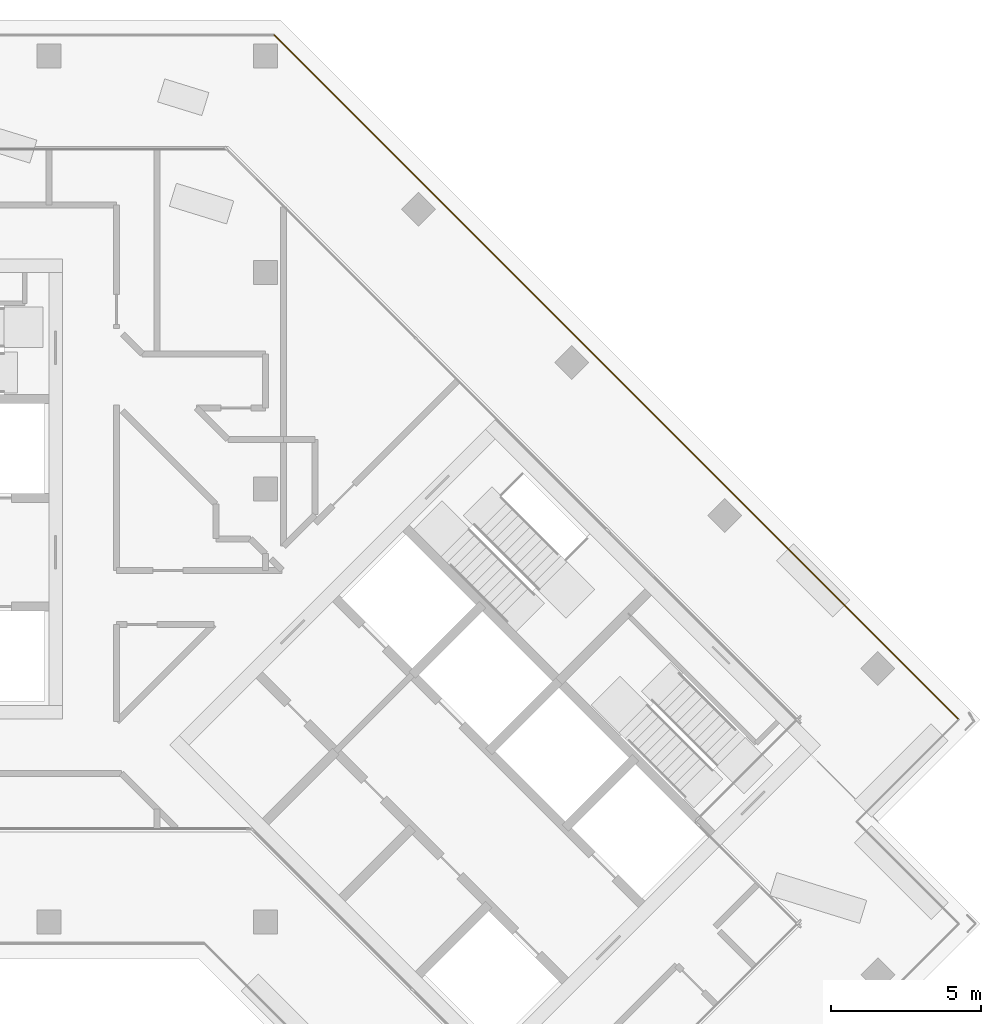
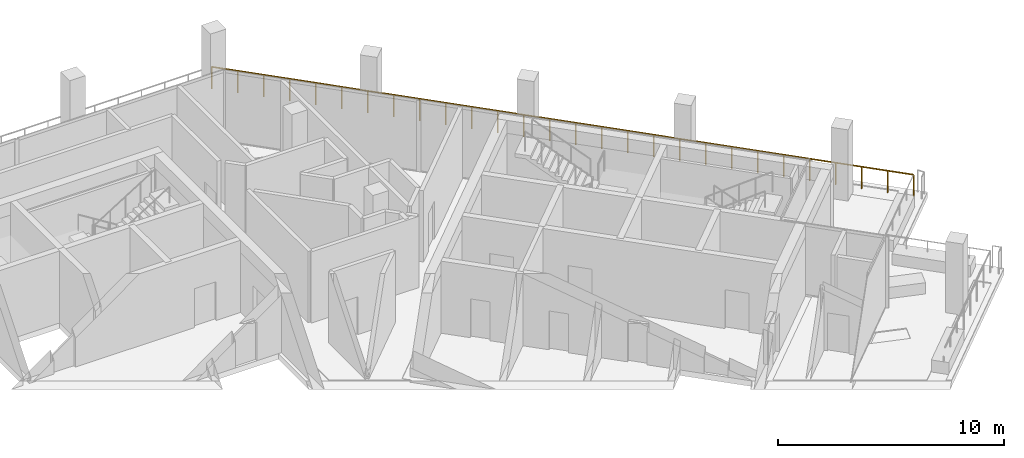
# One storey, part 16 of 20: 1 railing.
"""IFC4 building model written with IfcOpenShell, lengths in metres."""

from ifc_helpers import new_model, si_unit, direction, frame, origin, origin_2d, place, context, subcontext, project, spatial, circle, extrude, material, type_object, element, save


model = new_model("IFC4")

# Units and contexts
model_context = context("Model", 3, precision=1e-05, world=origin(), true_north=direction((0.0, 1.0)))
body_context = subcontext(model_context, "Body", "Model", "MODEL_VIEW")
ifc_project = project(units=[si_unit("LENGTHUNIT", "METRE"), si_unit("AREAUNIT", "SQUARE_METRE"), si_unit("VOLUMEUNIT", "CUBIC_METRE"), si_unit("PLANEANGLEUNIT", "RADIAN"), si_unit("MASSUNIT", "GRAM", prefix="KILO")], contexts=[model_context])

# Site, building, storey
site_placement = place(None, origin())
site = spatial("IfcSite", under=ifc_project, at=site_placement, CompositionType="ELEMENT")
building_placement = place(site_placement, origin())
building = spatial("IfcBuilding", under=site, at=building_placement, Name="Windrow Commons", CompositionType="ELEMENT")
storey_placement = place(building_placement, frame((0.0, 0.0, 239.6)))
storey = spatial("IfcBuildingStorey", under=building, at=storey_placement, Name="L65", CompositionType="ELEMENT", Elevation=239.6)

# Railing
ifc_material = material(Name="Stainless steel S316 balustrade with toughened glass infill", Category="steel")
railing_type = type_object("IfcRailingType", Name="Terrace guard 1200 podium", PredefinedType="BALUSTRADE", material=ifc_material)
railing_placement = place(storey_placement, frame((79.49, 72.7, 0.05)))
element("IfcRailing", 1, at=railing_placement, inside=storey, type_object=railing_type, Name="Guard TR-L65-1.E10", PredefinedType="BALUSTRADE", context=body_context, shape_type="SweptSolid", body=[
    extrude(circle(Radius=0.025, at=origin_2d()), frame((0.0, 0.0, 1.175), z_axis=(0.7071067812, -0.7071067812, 0.0), x_axis=(0.7071067812, 0.7071067812, 0.0)), (0.0, 0.0, 1.0), 32.1899),
    extrude(circle(Radius=0.02, at=origin_2d()), origin(), (0.0, 0.0, 1.0), 1.15),
    extrude(circle(Radius=0.02, at=origin_2d()), frame((0.843, -0.843, 0.0)), (0.0, 0.0, 1.0), 1.15),
    extrude(circle(Radius=0.02, at=origin_2d()), frame((1.6861, -1.6861, 0.0)), (0.0, 0.0, 1.0), 1.15),
    extrude(circle(Radius=0.02, at=origin_2d()), frame((2.5291, -2.5291, 0.0)), (0.0, 0.0, 1.0), 1.15),
    extrude(circle(Radius=0.02, at=origin_2d()), frame((3.3721, -3.3721, 0.0)), (0.0, 0.0, 1.0), 1.15),
    extrude(circle(Radius=0.02, at=origin_2d()), frame((4.2151, -4.2151, 0.0)), (0.0, 0.0, 1.0), 1.15),
    extrude(circle(Radius=0.02, at=origin_2d()), frame((5.0582, -5.0582, 0.0)), (0.0, 0.0, 1.0), 1.15),
    extrude(circle(Radius=0.02, at=origin_2d()), frame((5.9012, -5.9012, 0.0)), (0.0, 0.0, 1.0), 1.15),
    extrude(circle(Radius=0.02, at=origin_2d()), frame((6.7442, -6.7442, 0.0)), (0.0, 0.0, 1.0), 1.15),
    extrude(circle(Radius=0.02, at=origin_2d()), frame((7.5872, -7.5872, 0.0)), (0.0, 0.0, 1.0), 1.15),
    extrude(circle(Radius=0.02, at=origin_2d()), frame((8.4303, -8.4303, 0.0)), (0.0, 0.0, 1.0), 1.15),
    extrude(circle(Radius=0.02, at=origin_2d()), frame((9.2733, -9.2733, 0.0)), (0.0, 0.0, 1.0), 1.15),
    extrude(circle(Radius=0.02, at=origin_2d()), frame((10.1163, -10.1163, 0.0)), (0.0, 0.0, 1.0), 1.15),
    extrude(circle(Radius=0.02, at=origin_2d()), frame((10.9593, -10.9593, 0.0)), (0.0, 0.0, 1.0), 1.15),
    extrude(circle(Radius=0.02, at=origin_2d()), frame((11.8024, -11.8024, 0.0)), (0.0, 0.0, 1.0), 1.15),
    extrude(circle(Radius=0.02, at=origin_2d()), frame((12.6454, -12.6454, 0.0)), (0.0, 0.0, 1.0), 1.15),
    extrude(circle(Radius=0.02, at=origin_2d()), frame((13.4884, -13.4884, 0.0)), (0.0, 0.0, 1.0), 1.15),
    extrude(circle(Radius=0.02, at=origin_2d()), frame((14.3314, -14.3314, 0.0)), (0.0, 0.0, 1.0), 1.15),
    extrude(circle(Radius=0.02, at=origin_2d()), frame((15.1745, -15.1745, 0.0)), (0.0, 0.0, 1.0), 1.15),
    extrude(circle(Radius=0.02, at=origin_2d()), frame((16.0175, -16.0175, 0.0)), (0.0, 0.0, 1.0), 1.15),
    extrude(circle(Radius=0.02, at=origin_2d()), frame((16.8605, -16.8605, 0.0)), (0.0, 0.0, 1.0), 1.15),
    extrude(circle(Radius=0.02, at=origin_2d()), frame((17.7035, -17.7035, 0.0)), (0.0, 0.0, 1.0), 1.15),
    extrude(circle(Radius=0.02, at=origin_2d()), frame((18.5466, -18.5466, 0.0)), (0.0, 0.0, 1.0), 1.15),
    extrude(circle(Radius=0.02, at=origin_2d()), frame((19.3896, -19.3896, 0.0)), (0.0, 0.0, 1.0), 1.15),
    extrude(circle(Radius=0.02, at=origin_2d()), frame((20.2326, -20.2326, 0.0)), (0.0, 0.0, 1.0), 1.15),
    extrude(circle(Radius=0.02, at=origin_2d()), frame((21.0756, -21.0756, 0.0)), (0.0, 0.0, 1.0), 1.15),
    extrude(circle(Radius=0.02, at=origin_2d()), frame((21.9187, -21.9187, 0.0)), (0.0, 0.0, 1.0), 1.15),
    extrude(circle(Radius=0.02, at=origin_2d()), frame((22.7617, -22.7617, 0.0)), (0.0, 0.0, 1.0), 1.15),
])

save(model, "model.ifc")
